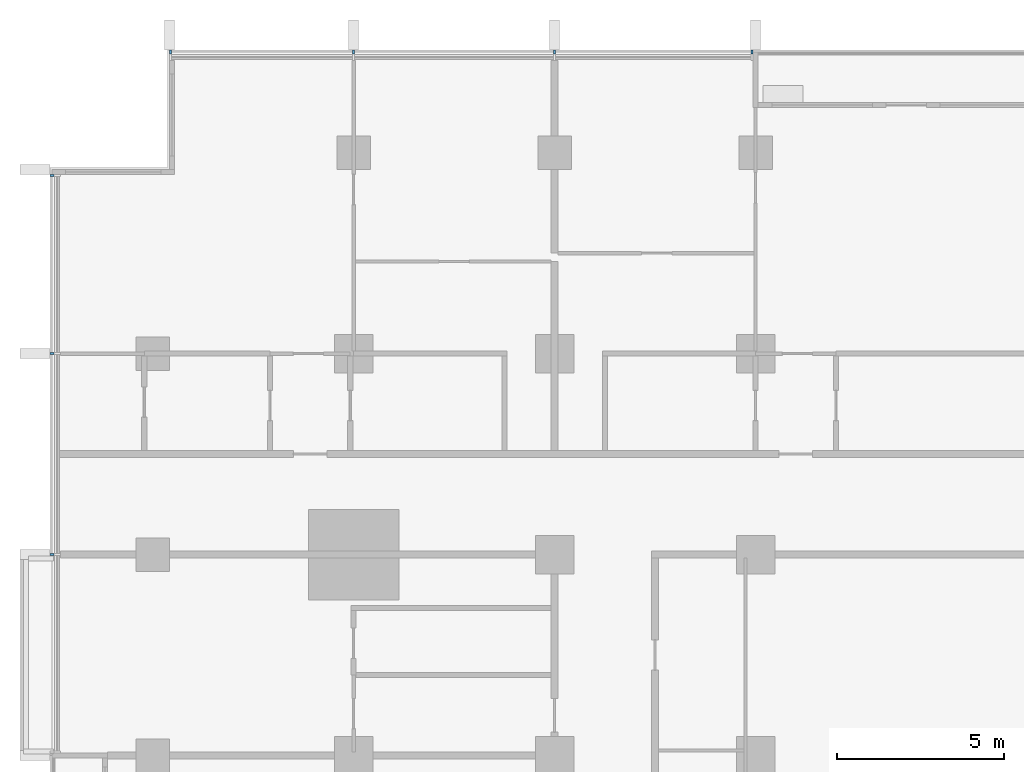
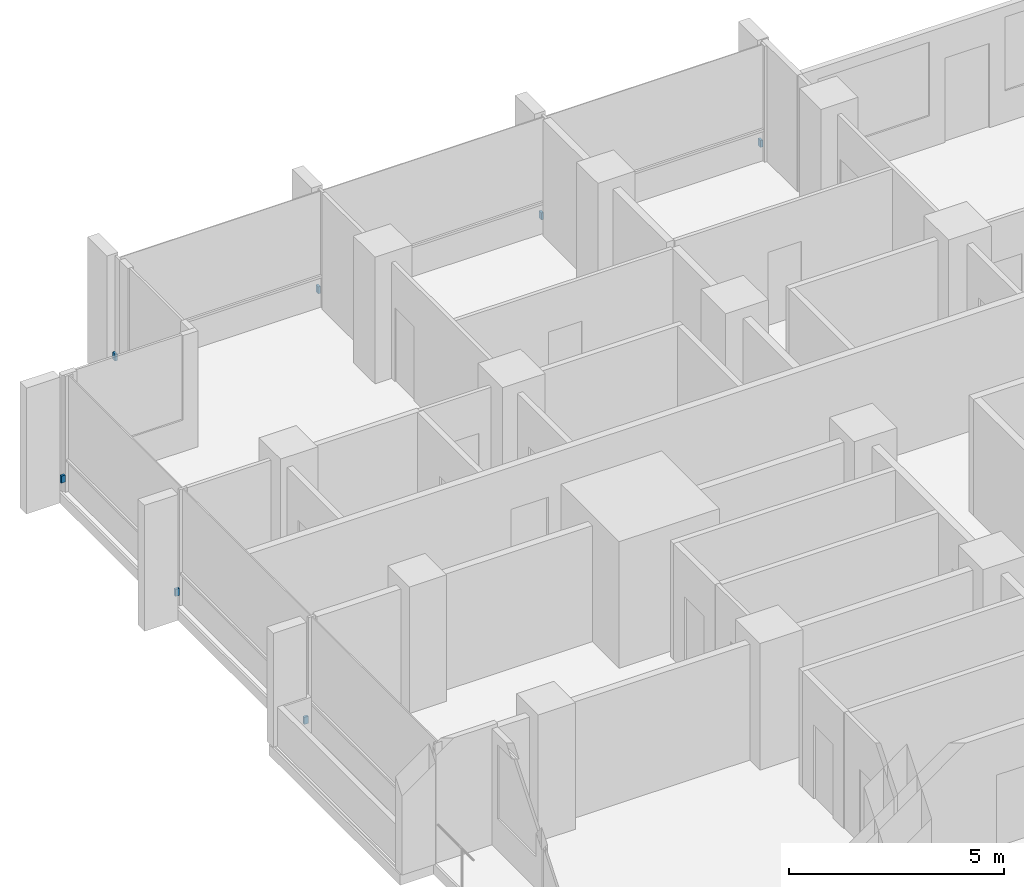
# One storey, part 15 of 17: 7 discrete accessories.
"""IFC4 building model written with IfcOpenShell, lengths in metres."""

from ifc_helpers import new_model, si_unit, direction, frame, origin, origin_2d, place, context, subcontext, project, spatial, rectangle, extrude, material, type_object, element, save


model = new_model("IFC4")

# Units and contexts
model_context = context("Model", 3, precision=1e-05, world=origin(), true_north=direction((0.0, 1.0)))
body_context = subcontext(model_context, "Body", "Model", "MODEL_VIEW")
ifc_project = project(units=[si_unit("LENGTHUNIT", "METRE"), si_unit("AREAUNIT", "SQUARE_METRE"), si_unit("VOLUMEUNIT", "CUBIC_METRE"), si_unit("PLANEANGLEUNIT", "RADIAN"), si_unit("MASSUNIT", "GRAM", prefix="KILO")], contexts=[model_context])

# Site, building, storey
site_placement = place(None, origin())
site = spatial("IfcSite", under=ifc_project, at=site_placement, CompositionType="ELEMENT")
building_placement = place(site_placement, origin())
building = spatial("IfcBuilding", under=site, at=building_placement, Name="Finial Court Residences", CompositionType="ELEMENT")
storey_placement = place(building_placement, frame((0.0, 0.0, 99.10009765625)))
storey = spatial("IfcBuildingStorey", under=building, at=storey_placement, Name="L24", CompositionType="ELEMENT", Elevation=99.10009765625)

# Discrete accessories
ifc_material = material(Name="Stainless steel 316", Category="steel")
discrete_accessory_type = type_object("IfcDiscreteAccessoryType", Name="Fin bracket, stainless steel 65 x 110 x 200", PredefinedType="BRACKET", material=ifc_material)
for number, where, z_axis, x_axis, name in (
    (1, (-21.967529296875, 22.5048828125, 0.2998046875), (0.0, 0.0, 1.0), (1.0, 0.0, 0.0), "E-L24-FIN-N1-BRK"),
    (2, (-16.5, 22.5048828125, 0.2998046875), (0.0, 0.0, 1.0), (1.0, 0.0, 0.0), "E-L24-FIN-N2-BRK"),
    (3, (-10.5, 22.5048828125, 0.2998046875), (0.0, 0.0, 1.0), (1.0, 0.0, 0.0), "E-L24-FIN-N3-BRK"),
    (4, (-4.607421875, 22.5048828125, 0.2998046875), (0.0, 0.0, 1.0), (1.0, 0.0, 0.0), "E-L24-FIN-N4-BRK"),
):
    element("IfcDiscreteAccessory", number, at=place(storey_placement, frame(where, z_axis=z_axis, x_axis=x_axis)), inside=storey, type_object=discrete_accessory_type, Name=name, PredefinedType="BRACKET", context=body_context, shape_type="SweptSolid", body=[
        extrude(rectangle(XDim=0.06494140625, YDim=0.110107421875, at=origin_2d()), origin(), (0.0, 0.0, 1.0), 0.199951171875),
    ])
for number, where, z_axis, x_axis, name in (
    (5, (-25.5048828125, 7.5, 0.2998046875), (0.0, 0.0, 1.0), (1.0, 0.0, 0.0), "E-L24-FIN-W30-BRK"),
    (6, (-25.5048828125, 13.5, 0.2998046875), (0.0, 0.0, 1.0), (1.0, 0.0, 0.0), "E-L24-FIN-W31-BRK"),
    (7, (-25.5048828125, 18.8173828125, 0.2998046875), (0.0, 0.0, 1.0), (1.0, 0.0, 0.0), "E-L24-FIN-W32-BRK"),
):
    element("IfcDiscreteAccessory", number, at=place(storey_placement, frame(where, z_axis=z_axis, x_axis=x_axis)), inside=storey, type_object=discrete_accessory_type, Name=name, PredefinedType="BRACKET", context=body_context, shape_type="SweptSolid", body=[
        extrude(rectangle(XDim=0.110107421875, YDim=0.06494140625, at=origin_2d()), origin(), (0.0, 0.0, 1.0), 0.199951171875),
    ])

save(model, "model.ifc")
